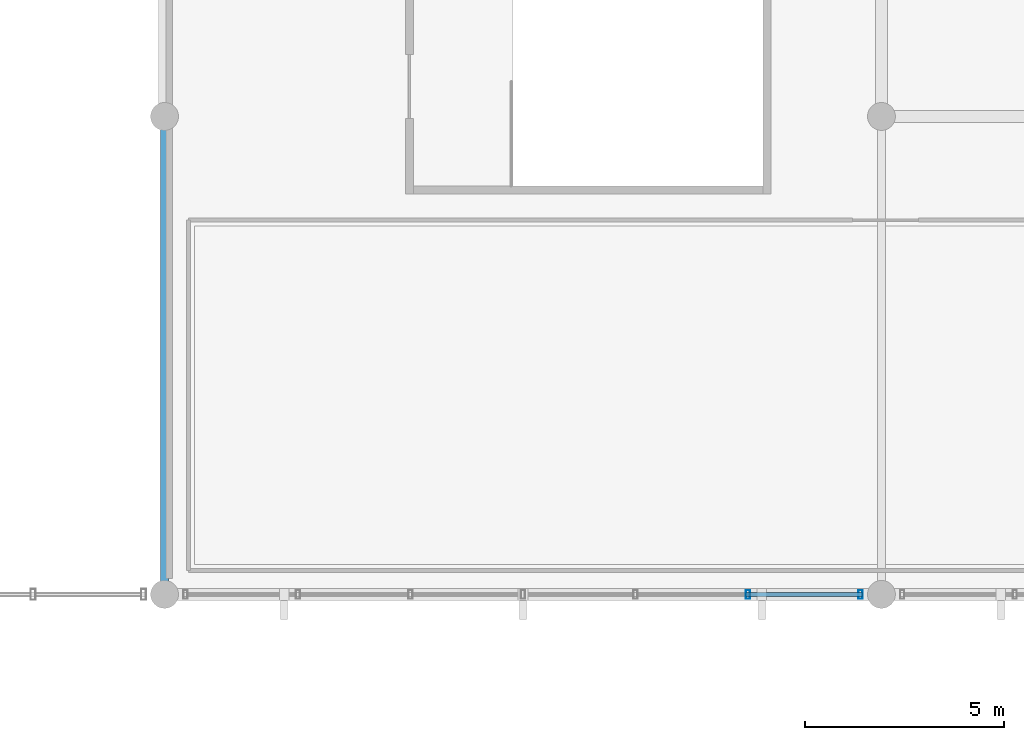
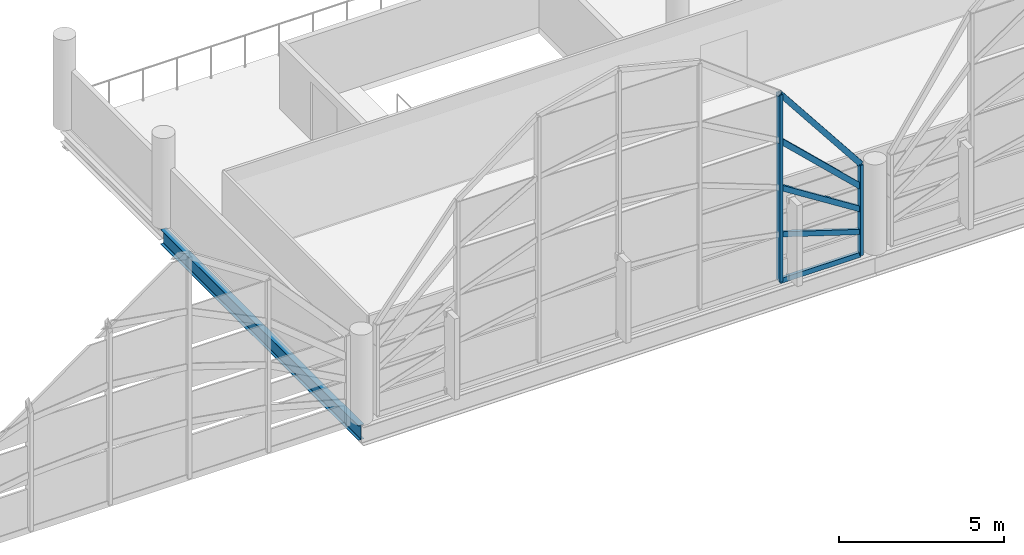
# One storey, part 21 of 116: 7 members, 1 beam, 1 element without a shape of its own.
"""IFC4 building model written with IfcOpenShell, lengths in metres."""

from ifc_helpers import new_model, si_unit, direction, frame, origin, origin_2d, place, context, subcontext, project, spatial, hollow_rectangle, i_section, extrude, material, material_profile, profile_set, type_object, element, aggregate, save


model = new_model("IFC4")

# Units and contexts
model_context = context("Model", 3, precision=1e-05, world=origin(), true_north=direction((0.0, 1.0)))
body_context = subcontext(model_context, "Body", "Model", "MODEL_VIEW")
ifc_project = project(units=[si_unit("LENGTHUNIT", "METRE"), si_unit("AREAUNIT", "SQUARE_METRE"), si_unit("VOLUMEUNIT", "CUBIC_METRE"), si_unit("PLANEANGLEUNIT", "RADIAN"), si_unit("MASSUNIT", "GRAM", prefix="KILO")], contexts=[model_context])

# Site, building, storey
site_placement = place(None, origin())
site = spatial("IfcSite", under=ifc_project, at=site_placement, CompositionType="ELEMENT")
building_placement = place(site_placement, origin())
building = spatial("IfcBuilding", under=site, at=building_placement, Name="Chuanluo Vaults Station", CompositionType="ELEMENT")
storey_placement = place(building_placement, frame((0.0, 0.0, 10.800048828125)))
storey = spatial("IfcBuildingStorey", under=building, at=storey_placement, Name="L02", CompositionType="ELEMENT", Elevation=10.800048828125)

# Beam
ifc_material_1 = material(Name="Steel Q355C", Category="steel")
ifc_material_profile_1 = material_profile(ifc_material_1, i_section(OverallWidth=0.199951171875, OverallDepth=0.550048828125, WebThickness=0.010009765625, FlangeThickness=0.01611328125, FilletRadius=0.01806640625, at=origin_2d()))
ifc_profile_set_1 = profile_set([ifc_material_profile_1], Name="Steel Q355C")
beam_type = type_object("IfcBeamType", Name="BM-GRD-550", PredefinedType="USERDEFINED", material=ifc_profile_set_1)
beam_placement = place(storey_placement, frame((18.0, 18.0, -0.4951171875), z_axis=(0.0, 1.0, 0.0), x_axis=(-1.0, 0.0, 0.0)))
element("IfcBeam", 1, at=beam_placement, inside=storey, type_object=beam_type, Name="Floor girder BM:GY:L02:0620", ObjectType="GIRDER", PredefinedType="USERDEFINED", context=body_context, shape_type="SweptSolid", body=[
    extrude(i_section(OverallWidth=0.199951171875, OverallDepth=0.550048828125, WebThickness=0.010009765625, FlangeThickness=0.01611328125, FilletRadius=0.01806640625, at=origin_2d()), origin(), (0.0, 0.0, 1.0), 12.0),
])

# Curtain wall, members
ifc_material_2 = material(Name="Anodised aluminium 6063-T6", Category="aluminium")
curtain_wall_type = type_object("IfcCurtainWallType", Name="CW-SYS-04", PredefinedType="NOTDEFINED", material=ifc_material_2)
curtain_wall_placement = place(storey_placement, origin())
curtain_wall = element("IfcCurtainWall", 2, at=curtain_wall_placement, inside=storey, type_object=curtain_wall_type, Name="Vault V2 south arched curtain wall", PredefinedType="NOTDEFINED")
ifc_material_3 = material(Name="Anodised aluminium 6063-T6", Category="aluminium")
ifc_material_profile_2 = material_profile(ifc_material_3, hollow_rectangle(XDim=0.10498046875, YDim=0.219970703125, WallThickness=0.006103515625, at=origin_2d()))
ifc_profile_set_2 = profile_set([ifc_material_profile_2], Name="Anodised aluminium 6063-T6")
member_type_1 = type_object("IfcMemberType", Name="CWM-140", PredefinedType="MULLION", material=ifc_profile_set_2)
member_1_placement = place(storey_placement, frame((35.47509765625, 18.0, 0.0), z_axis=(0.0, 0.0, 1.0), x_axis=(-1.0, 0.0, 0.0)))
member_1 = element("IfcMember", 3, at=member_1_placement, type_object=member_type_1, Name="Vault V2 south arched curtain wall mullion 1", PredefinedType="MULLION", context=body_context, shape_type="SweptSolid", body=[
    extrude(hollow_rectangle(XDim=0.10498046875, YDim=0.219970703125, WallThickness=0.006103515625, at=origin_2d()), origin(), (0.0, 0.0, 1.0), 3.349853515625),
])
member_2_placement = place(storey_placement, frame((32.64990234375, 18.0, 0.0), z_axis=(0.0, 0.0, 1.0), x_axis=(-1.0, 0.0, 0.0)))
member_2 = element("IfcMember", 4, at=member_2_placement, type_object=member_type_1, Name="Vault V2 south arched curtain wall mullion 2", PredefinedType="MULLION", context=body_context, shape_type="SweptSolid", body=[
    extrude(hollow_rectangle(XDim=0.10498046875, YDim=0.219970703125, WallThickness=0.006103515625, at=origin_2d()), origin(), (0.0, 0.0, 1.0), 6.933349609375),
])
ifc_material_4 = material(Name="Anodised aluminium 6063-T6", Category="aluminium")
ifc_material_profile_3 = material_profile(ifc_material_4, hollow_rectangle(XDim=0.10498046875, YDim=0.18505859375, WallThickness=0.0048828125, at=origin_2d()))
ifc_profile_set_3 = profile_set([ifc_material_profile_3], Name="Anodised aluminium 6063-T6")
member_type_2 = type_object("IfcMemberType", Name="CWT-110", PredefinedType="USERDEFINED", material=ifc_profile_set_3)
member_3_placement = place(storey_placement, frame((35.47509765625, 18.0, 0.0), z_axis=(-1.0, 0.0, 0.0), x_axis=(0.0, -1.0, 0.0)))
member_3 = element("IfcMember", 5, at=member_3_placement, type_object=member_type_2, Name="Vault V2 south arched curtain wall transom 1.1", ObjectType="TRANSOM", PredefinedType="USERDEFINED", context=body_context, shape_type="SweptSolid", body=[
    extrude(hollow_rectangle(XDim=0.10498046875, YDim=0.18505859375, WallThickness=0.0048828125, at=origin_2d()), origin(), (0.0, 0.0, 1.0), 2.8251953125),
])
member_4_placement = place(storey_placement, frame((35.47509765625, 18.0, 0.83740234375), z_axis=(-0.953234689536, 0.0, 0.302231081568), x_axis=(0.0, -1.0, 0.0)))
member_4 = element("IfcMember", 6, at=member_4_placement, type_object=member_type_2, Name="Vault V2 south arched curtain wall transom 1.2", ObjectType="TRANSOM", PredefinedType="USERDEFINED", context=body_context, shape_type="SweptSolid", body=[
    extrude(hollow_rectangle(XDim=0.10498046875, YDim=0.18505859375, WallThickness=0.0048828125, at=origin_2d()), origin(), (0.0, 0.0, 1.0), 2.9638671875),
])
member_5_placement = place(storey_placement, frame((35.47509765625, 18.0, 1.675048828125), z_axis=(-0.844519848764, 0.0, 0.535524252526), x_axis=(0.0, -1.0, 0.0)))
member_5 = element("IfcMember", 7, at=member_5_placement, type_object=member_type_2, Name="Vault V2 south arched curtain wall transom 1.3", ObjectType="TRANSOM", PredefinedType="USERDEFINED", context=body_context, shape_type="SweptSolid", body=[
    extrude(hollow_rectangle(XDim=0.10498046875, YDim=0.18505859375, WallThickness=0.0048828125, at=origin_2d()), origin(), (0.0, 0.0, 1.0), 3.34521484375),
])
member_6_placement = place(storey_placement, frame((35.47509765625, 18.0, 2.512451171875), z_axis=(-0.724542809438, 0.0, 0.68922980006), x_axis=(0.0, -1.0, 0.0)))
member_6 = element("IfcMember", 8, at=member_6_placement, type_object=member_type_2, Name="Vault V2 south arched curtain wall transom 1.4", ObjectType="TRANSOM", PredefinedType="USERDEFINED", context=body_context, shape_type="SweptSolid", body=[
    extrude(hollow_rectangle(XDim=0.10498046875, YDim=0.18505859375, WallThickness=0.0048828125, at=origin_2d()), origin(), (0.0, 0.0, 1.0), 3.899169921875),
])
member_7_placement = place(storey_placement, frame((35.47509765625, 18.0, 3.349853515625), z_axis=(-0.619120273316, 0.0, 0.785296177992), x_axis=(0.0, -1.0, 0.0)))
member_7 = element("IfcMember", 9, at=member_7_placement, type_object=member_type_2, Name="Vault V2 south arched curtain wall transom 1.5", ObjectType="TRANSOM", PredefinedType="USERDEFINED", context=body_context, shape_type="SweptSolid", body=[
    extrude(hollow_rectangle(XDim=0.10498046875, YDim=0.18505859375, WallThickness=0.0048828125, at=origin_2d()), origin(), (0.0, 0.0, 1.0), 4.563232421875),
])
aggregate(curtain_wall, [member_1, member_2, member_3, member_4, member_5, member_6, member_7])

save(model, "model.ifc")
